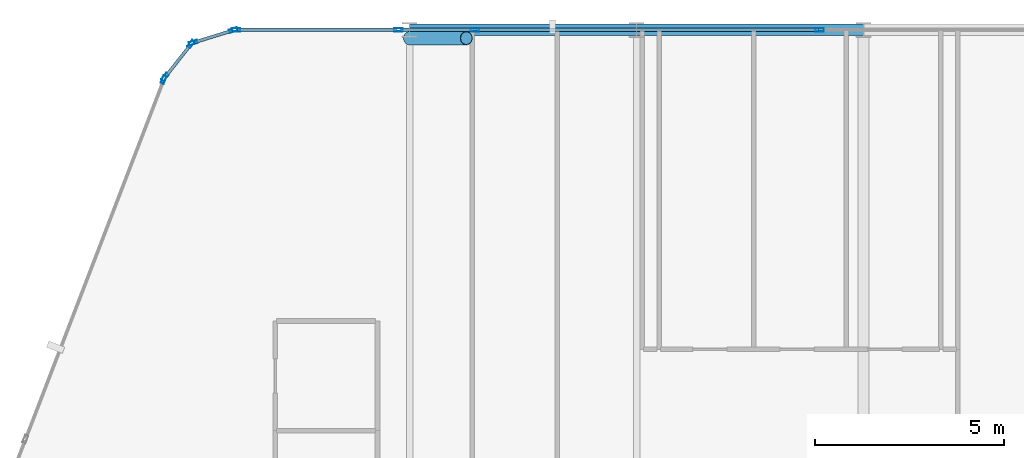
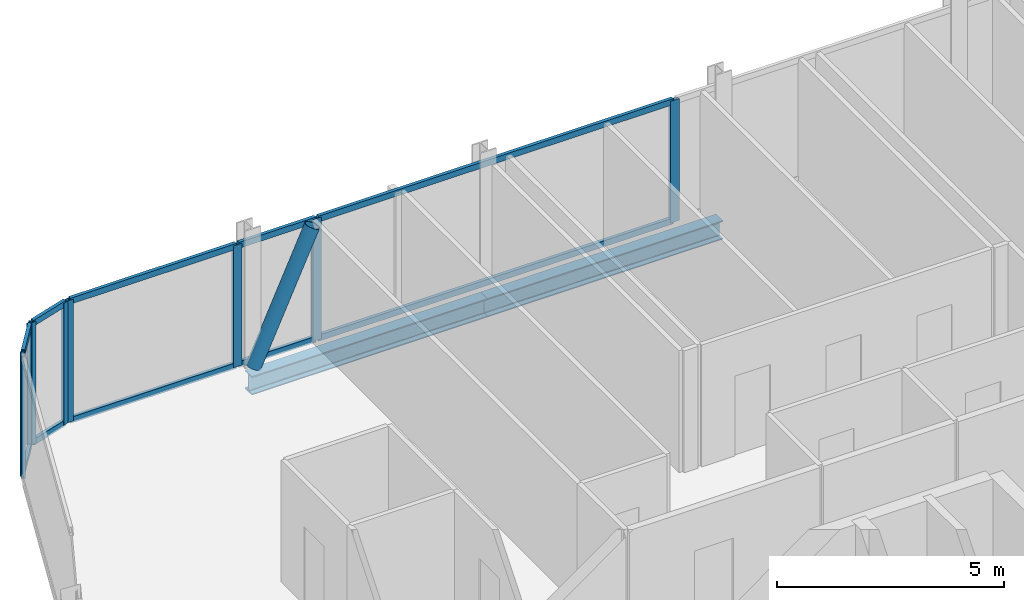
# One storey, part 14 of 34: 20 members, 2 beams, 6 elements without a shape of their own.
"""IFC4 building model written with IfcOpenShell, lengths in metres."""

from ifc_helpers import new_model, si_unit, direction, frame, origin, origin_2d, place, context, subcontext, project, spatial, hollow_rectangle, hollow_circle, i_section, extrude, material, layer, layer_set, material_profile, profile_set, type_object, element, aggregate, save


model = new_model("IFC4")

# Units and contexts
model_context = context("Model", 3, precision=1e-05, world=origin(), true_north=direction((0.0, 1.0)))
body_context = subcontext(model_context, "Body", "Model", "MODEL_VIEW")
ifc_project = project(units=[si_unit("LENGTHUNIT", "METRE"), si_unit("AREAUNIT", "SQUARE_METRE"), si_unit("VOLUMEUNIT", "CUBIC_METRE"), si_unit("PLANEANGLEUNIT", "RADIAN"), si_unit("MASSUNIT", "GRAM", prefix="KILO")], contexts=[model_context])

# Site, building, storey
site_placement = place(None, origin())
site = spatial("IfcSite", under=ifc_project, at=site_placement, CompositionType="ELEMENT")
building_placement = place(site_placement, origin())
building = spatial("IfcBuilding", under=site, at=building_placement, Name="Keshet Zoharim Tower", CompositionType="ELEMENT")
storey_placement = place(building_placement, frame((0.0, 0.0, 77.5)))
storey = spatial("IfcBuildingStorey", under=building, at=storey_placement, Name="L18", CompositionType="ELEMENT", Elevation=77.5)

# Beams
ifc_material_1 = material(Name="Steel S355", Category="steel")
ifc_material_profile_1 = material_profile(ifc_material_1, i_section(OverallWidth=0.300048828125, OverallDepth=0.5, WebThickness=0.014404296875, FlangeThickness=0.028076171875, FilletRadius=0.027099609375, at=origin_2d()), Name="HEB500")
ifc_profile_set_1 = profile_set([ifc_material_profile_1], Name="Steel S355")
beam_type = type_object("IfcBeamType", Name="BM-WEB-HB500", PredefinedType="BEAM", material=ifc_profile_set_1)
for number, where, z_axis, x_axis, name in (
    (1, (21.0, 53.89990234375, -0.56494140625), (1.0, 0.0, 0.0), (0.0, 1.0, 0.0), "L18 Primary Girder X-029"),
    (2, (27.0, 53.89990234375, -0.56494140625), (1.0, 0.0, 0.0), (0.0, 1.0, 0.0), "L18 Primary Girder X-030"),
):
    element("IfcBeam", number, at=place(storey_placement, frame(where, z_axis=z_axis, x_axis=x_axis)), inside=storey, type_object=beam_type, Name=name, PredefinedType="BEAM", context=body_context, shape_type="SweptSolid", body=[
        extrude(i_section(OverallWidth=0.300048828125, OverallDepth=0.5, WebThickness=0.014404296875, FlangeThickness=0.028076171875, FilletRadius=0.027099609375, at=origin_2d()), origin(), (0.0, 0.0, 1.0), 6.0),
    ])

# Curtain wall, member
ifc_material_2 = material(Name="Aluminium 6063-T6", Category="aluminium")
ifc_layer_1 = layer(ifc_material_2, 0.179931640625)
ifc_layer_set_1 = layer_set([ifc_layer_1], Name="Aluminium 6063-T6")
curtain_wall_type_1 = type_object("IfcCurtainWallType", Name="CW-SYS-01", PredefinedType="NOTDEFINED", material=ifc_layer_set_1)
curtain_wall_1_placement = place(storey_placement, origin())
curtain_wall_1 = element("IfcCurtainWall", 3, at=curtain_wall_1_placement, inside=storey, type_object=curtain_wall_type_1, Name="L18 Unitised Curtain Wall 04", PredefinedType="NOTDEFINED")
ifc_material_profile_2 = material_profile(ifc_material_2, hollow_rectangle(XDim=0.090087890625, YDim=0.219970703125, WallThickness=0.0048828125, at=origin_2d()), Name="MUL-90x220")
ifc_profile_set_2 = profile_set([ifc_material_profile_2], Name="Aluminium 6063-T6")
member_type_1 = type_object("IfcMemberType", Name="CWM-M22", PredefinedType="MULLION", material=ifc_profile_set_2)
member_1_placement = place(storey_placement, frame((14.494384765625, 52.58544921875, 0.0), z_axis=(0.0, 0.0, 1.0), x_axis=(-0.933341404361, 0.358990003907, 0.0)))
member_1 = element("IfcMember", 4, at=member_1_placement, type_object=member_type_1, Name="CW-01 mullion 4", PredefinedType="MULLION", context=body_context, shape_type="SweptSolid", body=[
    extrude(hollow_rectangle(XDim=0.090087890625, YDim=0.219970703125, WallThickness=0.0048828125, at=origin_2d()), origin(), (0.0, 0.0, 1.0), 3.280029296875),
])
aggregate(curtain_wall_1, [member_1])

# Curtain wall, members
curtain_wall_2_placement = place(storey_placement, origin())
curtain_wall_2 = element("IfcCurtainWall", 5, at=curtain_wall_2_placement, inside=storey, type_object=curtain_wall_type_1, Name="L18 Unitised Curtain Wall 05", PredefinedType="NOTDEFINED")
member_2_placement = place(storey_placement, frame((14.528564453125, 52.6455078125, 0.0), z_axis=(0.0, 0.0, 1.0), x_axis=(-0.785292825205, 0.619124525989, 0.0)))
member_2 = element("IfcMember", 6, at=member_2_placement, type_object=member_type_1, Name="CW-01 mullion 1", PredefinedType="MULLION", context=body_context, shape_type="SweptSolid", body=[
    extrude(hollow_rectangle(XDim=0.090087890625, YDim=0.219970703125, WallThickness=0.0048828125, at=origin_2d()), origin(), (0.0, 0.0, 1.0), 3.280029296875),
])
member_3_placement = place(storey_placement, frame((15.21923828125, 53.521484375, 0.0), z_axis=(0.0, 0.0, 1.0), x_axis=(-0.785292825205, 0.619124525989, 0.0)))
member_3 = element("IfcMember", 7, at=member_3_placement, type_object=member_type_1, Name="CW-01 mullion 2", PredefinedType="MULLION", context=body_context, shape_type="SweptSolid", body=[
    extrude(hollow_rectangle(XDim=0.090087890625, YDim=0.219970703125, WallThickness=0.0048828125, at=origin_2d()), origin(), (0.0, 0.0, 1.0), 3.280029296875),
])

curtain_wall_3_placement = place(storey_placement, origin())
curtain_wall_3 = element("IfcCurtainWall", 8, at=curtain_wall_3_placement, inside=storey, type_object=curtain_wall_type_1, Name="L18 Unitised Curtain Wall 06", PredefinedType="NOTDEFINED")
member_4_placement = place(storey_placement, frame((15.2744140625, 53.559326171875, 0.0), z_axis=(0.0, 0.0, 1.0), x_axis=(-0.295921857984, 0.955212151288, 0.0)))
member_4 = element("IfcMember", 9, at=member_4_placement, type_object=member_type_1, Name="CW-01 mullion 1", PredefinedType="MULLION", context=body_context, shape_type="SweptSolid", body=[
    extrude(hollow_rectangle(XDim=0.090087890625, YDim=0.219970703125, WallThickness=0.0048828125, at=origin_2d()), origin(), (0.0, 0.0, 1.0), 3.280029296875),
])
member_5_placement = place(storey_placement, frame((16.340576171875, 53.8896484375, 0.0), z_axis=(0.0, 0.0, 1.0), x_axis=(-0.295921857984, 0.955212151288, 0.0)))
member_5 = element("IfcMember", 10, at=member_5_placement, type_object=member_type_1, Name="CW-01 mullion 2", PredefinedType="MULLION", context=body_context, shape_type="SweptSolid", body=[
    extrude(hollow_rectangle(XDim=0.090087890625, YDim=0.219970703125, WallThickness=0.0048828125, at=origin_2d()), origin(), (0.0, 0.0, 1.0), 3.280029296875),
])

ifc_layer_2 = layer(ifc_material_2, 0.169921875)
ifc_layer_set_2 = layer_set([ifc_layer_2], Name="Aluminium 6063-T6")
curtain_wall_type_2 = type_object("IfcCurtainWallType", Name="CW-SYS-02", PredefinedType="NOTDEFINED", material=ifc_layer_set_2)
curtain_wall_4_placement = place(storey_placement, origin())
curtain_wall_4 = element("IfcCurtainWall", 11, at=curtain_wall_4_placement, inside=storey, type_object=curtain_wall_type_2, Name="L18 Unitised Curtain Wall 07", PredefinedType="NOTDEFINED")
member_6_placement = place(storey_placement, frame((16.408935546875, 53.89990234375, 0.0), z_axis=(0.0, 0.0, 1.0), x_axis=(0.0, 1.0, 0.0)))
member_6 = element("IfcMember", 12, at=member_6_placement, type_object=member_type_1, Name="CW-02 mullion 1", PredefinedType="MULLION", context=body_context, shape_type="SweptSolid", body=[
    extrude(hollow_rectangle(XDim=0.090087890625, YDim=0.219970703125, WallThickness=0.0048828125, at=origin_2d()), origin(), (0.0, 0.0, 1.0), 3.280029296875),
])
member_7_placement = place(storey_placement, frame((20.703369140625, 53.89990234375, 0.0), z_axis=(0.0, 0.0, 1.0), x_axis=(0.0, 1.0, 0.0)))
member_7 = element("IfcMember", 13, at=member_7_placement, type_object=member_type_1, Name="CW-02 mullion 2", PredefinedType="MULLION", context=body_context, shape_type="SweptSolid", body=[
    extrude(hollow_rectangle(XDim=0.090087890625, YDim=0.219970703125, WallThickness=0.0048828125, at=origin_2d()), origin(), (0.0, 0.0, 1.0), 3.280029296875),
])

# Curtain wall, member
curtain_wall_5_placement = place(storey_placement, origin())
curtain_wall_5 = element("IfcCurtainWall", 14, at=curtain_wall_5_placement, inside=storey, type_object=curtain_wall_type_2, Name="L18 Unitised Curtain Wall 07 Part 2", PredefinedType="NOTDEFINED")
member_8_placement = place(storey_placement, frame((22.726806640625, 53.89990234375, 0.0), z_axis=(0.0, 0.0, 1.0), x_axis=(0.0, 1.0, 0.0)))
member_8 = element("IfcMember", 15, at=member_8_placement, type_object=member_type_1, Name="CW-02 mullion 2", PredefinedType="MULLION", context=body_context, shape_type="SweptSolid", body=[
    extrude(hollow_rectangle(XDim=0.090087890625, YDim=0.219970703125, WallThickness=0.0048828125, at=origin_2d()), origin(), (0.0, 0.0, 1.0), 3.280029296875),
])

curtain_wall_6_placement = place(storey_placement, origin())
curtain_wall_6 = element("IfcCurtainWall", 16, at=curtain_wall_6_placement, inside=storey, type_object=curtain_wall_type_2, Name="L18 Unitised Curtain Wall 07 Part 3", PredefinedType="NOTDEFINED")
member_9_placement = place(storey_placement, frame((31.841064453125, 53.89990234375, 0.0), z_axis=(0.0, 0.0, 1.0), x_axis=(0.0, 1.0, 0.0)))
member_9 = element("IfcMember", 17, at=member_9_placement, type_object=member_type_1, Name="CW-02 mullion 2", PredefinedType="MULLION", context=body_context, shape_type="SweptSolid", body=[
    extrude(hollow_rectangle(XDim=0.090087890625, YDim=0.219970703125, WallThickness=0.0048828125, at=origin_2d()), origin(), (0.0, 0.0, 1.0), 3.280029296875),
])

# Member
ifc_material_profile_3 = material_profile(ifc_material_2, hollow_rectangle(XDim=0.0849609375, YDim=0.159912109375, WallThickness=0.00439453125, at=origin_2d()), Name="TRN-85x160")
ifc_profile_set_3 = profile_set([ifc_material_profile_3], Name="Aluminium 6063-T6")
member_type_2 = type_object("IfcMemberType", Name="CWT-T16", PredefinedType="USERDEFINED", material=ifc_profile_set_3)
member_10_placement = place(storey_placement, frame((14.55029296875, 52.6728515625, 0.034912109375), z_axis=(0.619099165969, 0.78531281837, 0.0), x_axis=(-0.78531281837, 0.619099165969, 0.0)))
member_10 = element("IfcMember", 18, at=member_10_placement, type_object=member_type_2, Name="CW-01 transom 1.1", ObjectType="TRANSOM", PredefinedType="USERDEFINED", context=body_context, shape_type="SweptSolid", body=[
    extrude(hollow_rectangle(XDim=0.0849609375, YDim=0.159912109375, WallThickness=0.00439453125, at=origin_2d()), origin(), (0.0, 0.0, 1.0), 1.0458984375),
])

member_11_placement = place(storey_placement, frame((14.55029296875, 52.6728515625, 3.2451171875), z_axis=(0.619099165969, 0.78531281837, 0.0), x_axis=(-0.78531281837, 0.619099165969, 0.0)))
member_11 = element("IfcMember", 19, at=member_11_placement, type_object=member_type_2, Name="CW-01 transom 1.2", ObjectType="TRANSOM", PredefinedType="USERDEFINED", context=body_context, shape_type="SweptSolid", body=[
    extrude(hollow_rectangle(XDim=0.0849609375, YDim=0.159912109375, WallThickness=0.00439453125, at=origin_2d()), origin(), (0.0, 0.0, 1.0), 1.0458984375),
])

aggregate(curtain_wall_2, [member_2, member_3, member_10, member_11])

member_12_placement = place(storey_placement, frame((15.307861328125, 53.56982421875, 0.034912109375), z_axis=(0.955212093062, 0.295922045933, 0.0), x_axis=(-0.295922045933, 0.955212093062, 0.0)))
member_12 = element("IfcMember", 20, at=member_12_placement, type_object=member_type_2, Name="CW-01 transom 1.1", ObjectType="TRANSOM", PredefinedType="USERDEFINED", context=body_context, shape_type="SweptSolid", body=[
    extrude(hollow_rectangle(XDim=0.0849609375, YDim=0.159912109375, WallThickness=0.00439453125, at=origin_2d()), origin(), (0.0, 0.0, 1.0), 1.046142578125),
])

member_13_placement = place(storey_placement, frame((15.307861328125, 53.56982421875, 3.2451171875), z_axis=(0.955212093062, 0.295922045933, 0.0), x_axis=(-0.295922045933, 0.955212093062, 0.0)))
member_13 = element("IfcMember", 21, at=member_13_placement, type_object=member_type_2, Name="CW-01 transom 1.2", ObjectType="TRANSOM", PredefinedType="USERDEFINED", context=body_context, shape_type="SweptSolid", body=[
    extrude(hollow_rectangle(XDim=0.0849609375, YDim=0.159912109375, WallThickness=0.00439453125, at=origin_2d()), origin(), (0.0, 0.0, 1.0), 1.046142578125),
])

aggregate(curtain_wall_3, [member_4, member_5, member_12, member_13])

member_14_placement = place(storey_placement, frame((16.444091796875, 53.89990234375, 0.034912109375), z_axis=(1.0, 0.0, 0.0), x_axis=(0.0, 1.0, 0.0)))
member_14 = element("IfcMember", 22, at=member_14_placement, type_object=member_type_2, Name="CW-02 transom 1.1", ObjectType="TRANSOM", PredefinedType="USERDEFINED", context=body_context, shape_type="SweptSolid", body=[
    extrude(hollow_rectangle(XDim=0.0849609375, YDim=0.159912109375, WallThickness=0.00439453125, at=origin_2d()), origin(), (0.0, 0.0, 1.0), 4.22412109375),
])

member_15_placement = place(storey_placement, frame((16.444091796875, 53.89990234375, 3.2451171875), z_axis=(1.0, 0.0, 0.0), x_axis=(0.0, 1.0, 0.0)))
member_15 = element("IfcMember", 23, at=member_15_placement, type_object=member_type_2, Name="CW-02 transom 1.2", ObjectType="TRANSOM", PredefinedType="USERDEFINED", context=body_context, shape_type="SweptSolid", body=[
    extrude(hollow_rectangle(XDim=0.0849609375, YDim=0.159912109375, WallThickness=0.00439453125, at=origin_2d()), origin(), (0.0, 0.0, 1.0), 4.22412109375),
])

aggregate(curtain_wall_4, [member_6, member_7, member_14, member_15])

member_16_placement = place(storey_placement, frame((20.73828125, 53.89990234375, 0.034912109375), z_axis=(1.0, 0.0, 0.0), x_axis=(0.0, 1.0, 0.0)))
member_16 = element("IfcMember", 24, at=member_16_placement, type_object=member_type_2, Name="CW-02 transom 1.1", ObjectType="TRANSOM", PredefinedType="USERDEFINED", context=body_context, shape_type="SweptSolid", body=[
    extrude(hollow_rectangle(XDim=0.0849609375, YDim=0.159912109375, WallThickness=0.00439453125, at=origin_2d()), origin(), (0.0, 0.0, 1.0), 1.953369140625),
])

member_17_placement = place(storey_placement, frame((20.73828125, 53.89990234375, 3.2451171875), z_axis=(1.0, 0.0, 0.0), x_axis=(0.0, 1.0, 0.0)))
member_17 = element("IfcMember", 25, at=member_17_placement, type_object=member_type_2, Name="CW-02 transom 1.2", ObjectType="TRANSOM", PredefinedType="USERDEFINED", context=body_context, shape_type="SweptSolid", body=[
    extrude(hollow_rectangle(XDim=0.0849609375, YDim=0.159912109375, WallThickness=0.00439453125, at=origin_2d()), origin(), (0.0, 0.0, 1.0), 1.953369140625),
])

aggregate(curtain_wall_5, [member_8, member_16, member_17])

member_18_placement = place(storey_placement, frame((22.76171875, 53.89990234375, 0.034912109375), z_axis=(1.0, 0.0, 0.0), x_axis=(0.0, 1.0, 0.0)))
member_18 = element("IfcMember", 26, at=member_18_placement, type_object=member_type_2, Name="CW-02 transom 1.1", ObjectType="TRANSOM", PredefinedType="USERDEFINED", context=body_context, shape_type="SweptSolid", body=[
    extrude(hollow_rectangle(XDim=0.0849609375, YDim=0.159912109375, WallThickness=0.00439453125, at=origin_2d()), origin(), (0.0, 0.0, 1.0), 9.04443359375),
])

member_19_placement = place(storey_placement, frame((22.76171875, 53.89990234375, 3.2451171875), z_axis=(1.0, 0.0, 0.0), x_axis=(0.0, 1.0, 0.0)))
member_19 = element("IfcMember", 27, at=member_19_placement, type_object=member_type_2, Name="CW-02 transom 1.2", ObjectType="TRANSOM", PredefinedType="USERDEFINED", context=body_context, shape_type="SweptSolid", body=[
    extrude(hollow_rectangle(XDim=0.0849609375, YDim=0.159912109375, WallThickness=0.00439453125, at=origin_2d()), origin(), (0.0, 0.0, 1.0), 9.04443359375),
])

aggregate(curtain_wall_6, [member_9, member_18, member_19])

ifc_material_profile_4 = material_profile(ifc_material_1, hollow_circle(Radius=0.177734375, WallThickness=0.012451171875, at=origin_2d()), Name="CHS355x12.5")
ifc_profile_set_4 = profile_set([ifc_material_profile_4], Name="Steel S355")
member_type_3 = type_object("IfcMemberType", Name="MB-BR-C355", PredefinedType="BRACE", material=ifc_profile_set_4)
member_20_placement = place(storey_placement, frame((21.0, 53.679931640625, 0.0), z_axis=(0.415887731958, 0.0, 0.909415963356), x_axis=(0.0, 1.0, 0.0)))
element("IfcMember", 28, at=member_20_placement, inside=storey, type_object=member_type_3, Name="L18 Perimeter Tube Brace 02", PredefinedType="BRACE", context=body_context, shape_type="SweptSolid", body=[
    extrude(hollow_circle(Radius=0.177734375, WallThickness=0.012451171875, at=origin_2d()), origin(), (0.0, 0.0, 1.0), 3.606689453125),
])

save(model, "model.ifc")
